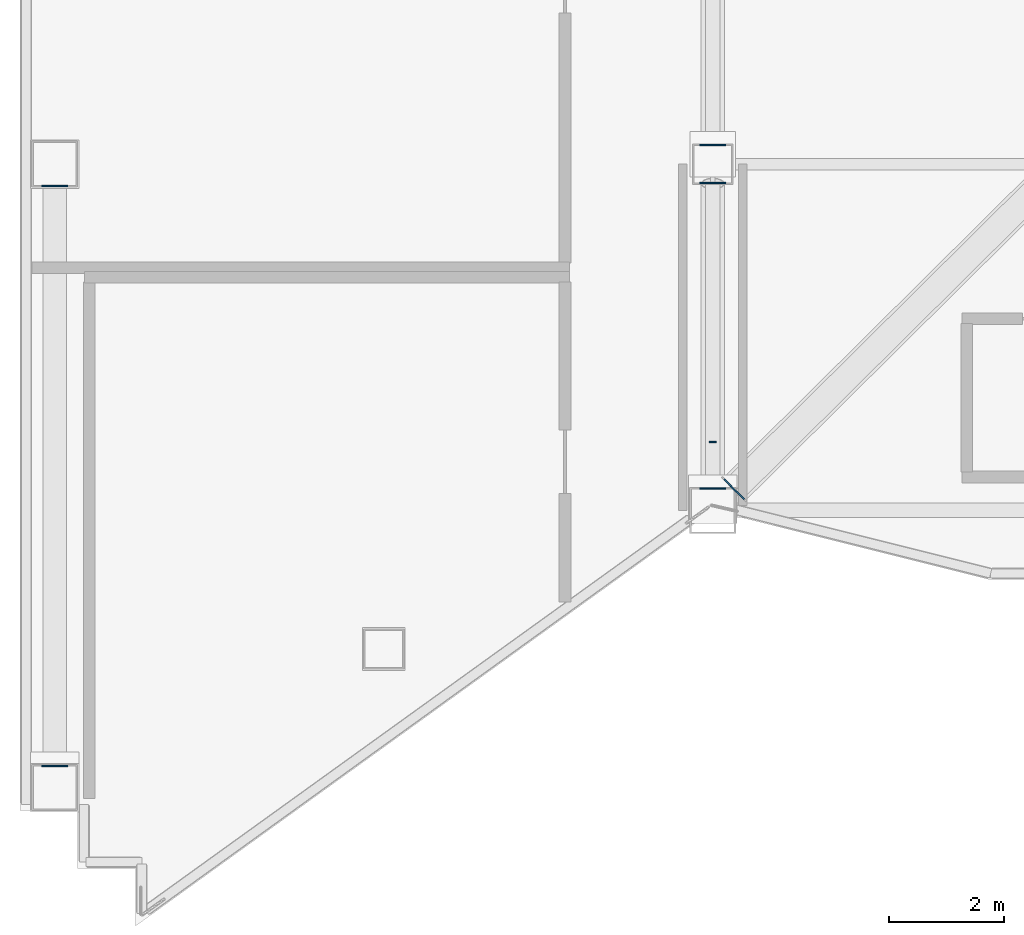
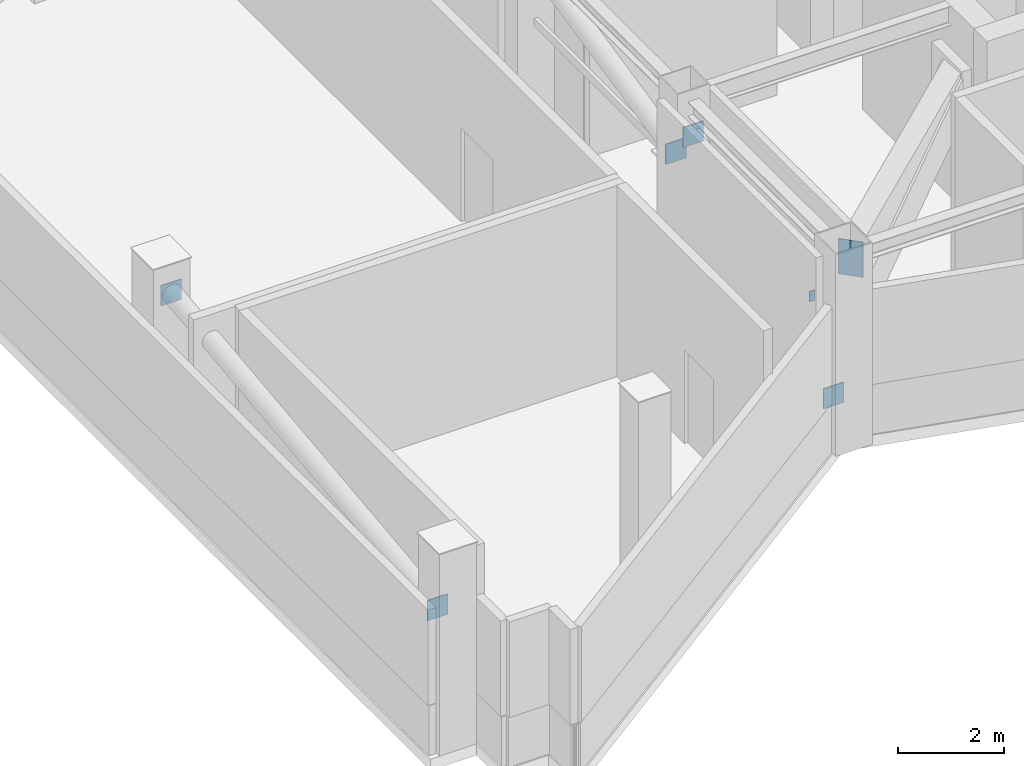
# One storey, part 5 of 15: 7 plates.
"""IFC4 building model written with IfcOpenShell, lengths in metres."""

from ifc_helpers import new_model, si_unit, direction, frame, origin, origin_2d, place, context, subcontext, project, spatial, rectangle, extrude, material, layer, layer_set, type_object, element, save


model = new_model("IFC4")

# Units and contexts
model_context = context("Model", 3, precision=1e-05, world=origin(), true_north=direction((0.0, 1.0)))
body_context = subcontext(model_context, "Body", "Model", "MODEL_VIEW")
ifc_project = project(units=[si_unit("LENGTHUNIT", "METRE"), si_unit("AREAUNIT", "SQUARE_METRE"), si_unit("VOLUMEUNIT", "CUBIC_METRE"), si_unit("PLANEANGLEUNIT", "RADIAN"), si_unit("MASSUNIT", "GRAM", prefix="KILO")], contexts=[model_context])

# Site, building, storey
site_placement = place(None, origin())
site = spatial("IfcSite", under=ifc_project, at=site_placement, CompositionType="ELEMENT")
building_placement = place(site_placement, origin())
building = spatial("IfcBuilding", under=site, at=building_placement, Name="Haolan Belvedere Tower", CompositionType="ELEMENT")
storey_placement = place(building_placement, frame((0.0, 0.0, 277.550048828125)))
storey = spatial("IfcBuildingStorey", under=building, at=storey_placement, Name="L70", CompositionType="ELEMENT", Elevation=277.550048828125)

# Plates
ifc_material = material(Name="Steel Q355B", Category="steel")
ifc_layer = layer(ifc_material, 0.02490234375, Name="Steel Q355B")
ifc_layer_set = layer_set([ifc_layer], Name="Steel Q355B")
plate_type = type_object("IfcPlateType", Name="PL-CAP-25", PredefinedType="SHEET", material=ifc_layer_set)
plate_1_placement = place(storey_placement, frame((24.369873046875, 21.966552734375, 3.4365234375), z_axis=(0.0, 0.0, 1.0), x_axis=(0.704014724456, -0.710185375623, 0.0)))
element("IfcPlate", 1, at=plate_1_placement, inside=storey, type_object=plate_type, Name="Hollow steel end-cap plate OR-W2-L70-DG-CAP1", PredefinedType="SHEET", context=body_context, shape_type="SweptSolid", body=[
    extrude(rectangle(XDim=0.489990234375, YDim=0.02490234375, at=origin_2d()), origin(), (0.0, 0.0, 1.0), 0.81005859375),
])
for number, where, z_axis, x_axis, name in (
    (2, (24.0, 21.97900390625, 0.56103515625), (0.0, 0.0, 1.0), (1.0, 0.0, 0.0), "Hollow steel end-cap plate BT-W1-L70-CAP0"),
    (3, (24.0, 27.27099609375, 3.37255859375), (0.0, 0.0, 1.0), (-1.0, 0.0, 0.0), "Hollow steel end-cap plate BT-W1-L70-CAP1"),
    (4, (24.0, 27.927734375, 2.58447265625), (0.0, 0.0, 1.0), (1.0, 0.0, 0.0), "Hollow steel end-cap plate BT-W2-L70-CAP0"),
    (5, (12.60009765625, 17.177490234375, 2.58544921875), (0.0, 0.0, 1.0), (1.0, 0.0, 0.0), "Hollow steel end-cap plate BT-T2-L70-CAP0"),
    (6, (12.60009765625, 27.222412109375, 3.74853515625), (0.0, 0.0, 1.0), (-1.0, 0.0, 0.0), "Hollow steel end-cap plate BT-T2-L70-CAP1"),
):
    element("IfcPlate", number, at=place(storey_placement, frame(where, z_axis=z_axis, x_axis=x_axis)), inside=storey, type_object=plate_type, Name=name, PredefinedType="SHEET", context=body_context, shape_type="SweptSolid", body=[
        extrude(rectangle(XDim=0.446044921875, YDim=0.02490234375, at=origin_2d()), origin(), (0.0, 0.0, 1.0), 0.466064453125),
    ])
plate_2_placement = place(storey_placement, frame((24.0, 22.78759765625, 2.47998046875), z_axis=(0.0, 0.0, 1.0), x_axis=(1.0, 0.0, 0.0)))
element("IfcPlate", 7, at=plate_2_placement, inside=storey, type_object=plate_type, Name="Hollow steel end-cap plate GIRT-L70-GW-CAP0", PredefinedType="SHEET", context=body_context, shape_type="SweptSolid", body=[
    extrude(rectangle(XDim=0.1201171875, YDim=0.02490234375, at=origin_2d()), origin(), (0.0, 0.0, 1.0), 0.239990234375),
])

save(model, "model.ifc")
